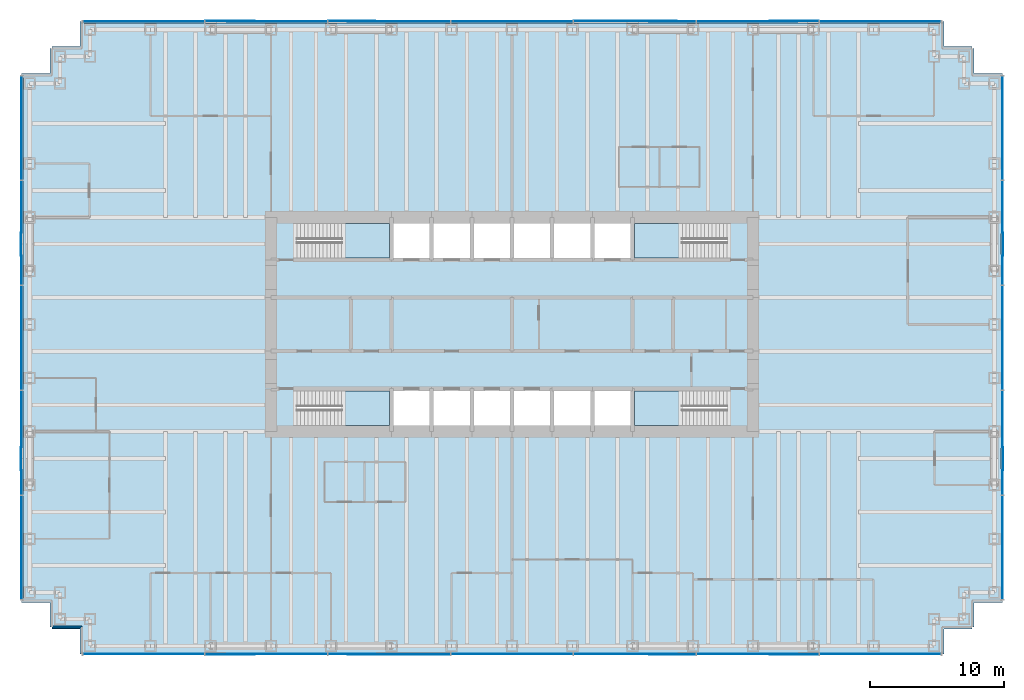
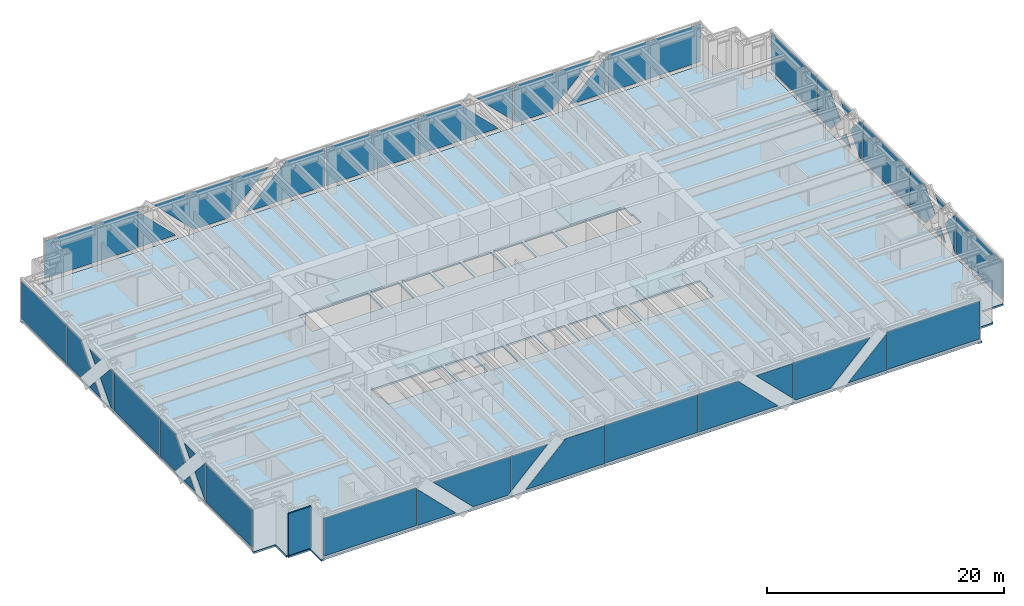
# One storey, part 8 of 13: 44 plates, 5 slabs, 1 wall, 8 elements without a shape of their own.
"""IFC4 building model written with IfcOpenShell, lengths in metres."""

from ifc_helpers import new_model, si_unit, direction, frame, frame_2d, origin, origin_2d, place, context, subcontext, project, spatial, polyline, rectangle, outline, extrude, material, layer, layer_set, type_object, element, aggregate, save


model = new_model("IFC4")

# Units and contexts
model_context = context("Model", 3, precision=1e-05, world=origin(), true_north=direction((0.0, 1.0)))
body_context = subcontext(model_context, "Body", "Model", "MODEL_VIEW")
ifc_project = project(units=[si_unit("LENGTHUNIT", "METRE"), si_unit("AREAUNIT", "SQUARE_METRE"), si_unit("VOLUMEUNIT", "CUBIC_METRE"), si_unit("PLANEANGLEUNIT", "RADIAN"), si_unit("MASSUNIT", "GRAM", prefix="KILO")], contexts=[model_context])

# Site, building, storey
site_placement = place(None, origin())
site = spatial("IfcSite", under=ifc_project, at=site_placement, CompositionType="ELEMENT")
building_placement = place(site_placement, origin())
building = spatial("IfcBuilding", under=site, at=building_placement, Name="Rheinbord Bourse Tower", CompositionType="ELEMENT")
storey_placement = place(building_placement, frame((0.0, 0.0, 50.0)))
storey = spatial("IfcBuildingStorey", under=building, at=storey_placement, Name="L10", CompositionType="ELEMENT", Elevation=50.0)

# Slab
ifc_material_1 = material(Name="Concrete C30/37", Category="concrete")
ifc_layer_1 = layer(ifc_material_1, 0.179931640625)
ifc_layer_set_1 = layer_set([ifc_layer_1], Name="COMPOSITE FLOOR SLAB 180")
slab_type_1 = type_object("IfcSlabType", Name="COMPOSITE FLOOR SLAB 180", PredefinedType="FLOOR", material=ifc_layer_set_1)
slab_1_placement = place(storey_placement, frame((0.0, 0.0, -0.179931640625)))
element("IfcSlab", 1, at=slab_1_placement, inside=storey, type_object=slab_type_1, Name="Floor slab L10", PredefinedType="FLOOR", context=body_context, shape_type="SweptSolid", body=[
    extrude(outline(polyline([(1.64990234375, 1.39990234375), (1.5, 1.39990234375), (1.5, 3.25), (-0.60009765625, 3.25), (-0.60009765625, 3.550048828125), (-0.5, 3.550048828125), (-0.5, 42.449951171875), (-0.60009765625, 42.449951171875), (-0.60009765625, 42.75), (1.5, 42.75), (1.5, 44.60009765625), (1.64990234375, 44.60009765625), (1.64990234375, 44.75), (3.75, 44.75), (3.75, 46.60009765625), (4.050048828125, 46.60009765625), (4.050048828125, 46.5), (67.949951171875, 46.5), (67.949951171875, 46.60009765625), (68.25, 46.60009765625), (68.25, 44.75), (70.35009765625, 44.75), (70.35009765625, 44.60009765625), (70.5, 44.60009765625), (70.5, 42.75), (72.60009765625, 42.75), (72.60009765625, 42.449951171875), (72.5, 42.449951171875), (72.5, 3.550048828125), (72.60009765625, 3.550048828125), (72.60009765625, 3.25), (70.5, 3.25), (70.5, 1.39990234375), (70.35009765625, 1.39990234375), (70.35009765625, 1.25), (68.25, 1.25), (68.25, -0.60009765625), (67.949951171875, -0.60009765625), (67.949951171875, -0.5), (4.050048828125, -0.5), (4.050048828125, -0.60009765625), (3.75, -0.60009765625), (3.75, 1.25), (1.64990234375, 1.25), (1.64990234375, 1.39990234375)]), holes=[polyline([(19.949951171875, 19.050048828125), (26.85009765625, 19.050048828125), (26.85009765625, 16.449951171875), (20.10009765625, 16.449951171875), (20.10009765625, 17.64990234375), (19.949951171875, 17.64990234375), (19.949951171875, 19.050048828125)]), polyline([(26.85009765625, 31.550048828125), (26.85009765625, 28.949951171875), (19.949951171875, 28.949951171875), (19.949951171875, 30.35009765625), (20.10009765625, 30.35009765625), (20.10009765625, 31.550048828125), (26.85009765625, 31.550048828125)]), polyline([(45.14990234375, 16.449951171875), (45.14990234375, 19.050048828125), (52.050048828125, 19.050048828125), (52.050048828125, 17.64990234375), (51.89990234375, 17.64990234375), (51.89990234375, 16.449951171875), (45.14990234375, 16.449951171875)]), polyline([(52.050048828125, 28.949951171875), (45.14990234375, 28.949951171875), (45.14990234375, 31.550048828125), (51.89990234375, 31.550048828125), (51.89990234375, 30.35009765625), (52.050048828125, 30.35009765625), (52.050048828125, 28.949951171875)]), polyline([(27.14990234375, 16.449951171875), (27.14990234375, 19.050048828125), (29.85009765625, 19.050048828125), (29.85009765625, 16.449951171875), (27.14990234375, 16.449951171875)]), polyline([(27.14990234375, 28.949951171875), (27.14990234375, 31.550048828125), (29.85009765625, 31.550048828125), (29.85009765625, 28.949951171875), (27.14990234375, 28.949951171875)]), polyline([(30.14990234375, 16.449951171875), (30.14990234375, 19.050048828125), (32.85009765625, 19.050048828125), (32.85009765625, 16.449951171875), (30.14990234375, 16.449951171875)]), polyline([(30.14990234375, 28.949951171875), (30.14990234375, 31.550048828125), (32.85009765625, 31.550048828125), (32.85009765625, 28.949951171875), (30.14990234375, 28.949951171875)]), polyline([(33.14990234375, 16.449951171875), (33.14990234375, 19.050048828125), (35.85009765625, 19.050048828125), (35.85009765625, 16.449951171875), (33.14990234375, 16.449951171875)]), polyline([(33.14990234375, 28.949951171875), (33.14990234375, 31.550048828125), (35.85009765625, 31.550048828125), (35.85009765625, 28.949951171875), (33.14990234375, 28.949951171875)]), polyline([(36.14990234375, 16.449951171875), (36.14990234375, 19.050048828125), (38.85009765625, 19.050048828125), (38.85009765625, 16.449951171875), (36.14990234375, 16.449951171875)]), polyline([(36.14990234375, 28.949951171875), (36.14990234375, 31.550048828125), (38.85009765625, 31.550048828125), (38.85009765625, 28.949951171875), (36.14990234375, 28.949951171875)]), polyline([(39.14990234375, 16.449951171875), (39.14990234375, 19.050048828125), (41.85009765625, 19.050048828125), (41.85009765625, 16.449951171875), (39.14990234375, 16.449951171875)]), polyline([(39.14990234375, 28.949951171875), (39.14990234375, 31.550048828125), (41.85009765625, 31.550048828125), (41.85009765625, 28.949951171875), (39.14990234375, 28.949951171875)]), polyline([(42.14990234375, 16.449951171875), (42.14990234375, 19.050048828125), (44.85009765625, 19.050048828125), (44.85009765625, 16.449951171875), (42.14990234375, 16.449951171875)]), polyline([(42.14990234375, 28.949951171875), (42.14990234375, 31.550048828125), (44.85009765625, 31.550048828125), (44.85009765625, 28.949951171875), (42.14990234375, 28.949951171875)])]), origin(), (0.0, 0.0, 1.0), 0.179931640625),
])

# Curtain wall, plates
ifc_material_2 = material(Name="Dark glass and black aluminium", Category="aluminium")
curtain_wall_type = type_object("IfcCurtainWallType", Name="CW1 DARK GLASS CURTAIN WALL", PredefinedType="USERDEFINED", material=ifc_material_2)
curtain_wall_1_placement = place(storey_placement, origin())
curtain_wall_1 = element("IfcCurtainWall", 2, at=curtain_wall_1_placement, inside=storey, type_object=curtain_wall_type, Name="Curtain wall CW1 S L10", ObjectType="UNITISED CURTAIN WALL", PredefinedType="USERDEFINED")
ifc_material_3 = material(Name="Dark tinted triple insulating glass", Category="glass")
ifc_layer_2 = layer(ifc_material_3, 0.0439453125)
ifc_layer_set_2 = layer_set([ifc_layer_2], Name="CW1 DARK GLASS PANEL")
plate_type = type_object("IfcPlateType", Name="CW1 DARK GLASS PANEL", PredefinedType="CURTAIN_PANEL", material=ifc_layer_set_2)
plate_1_placement = place(storey_placement, frame((36.0, -0.60009765625, 0.300048828125), z_axis=(0.0, 0.0, 1.0), x_axis=(1.0, 0.0, 0.0)))
plate_1 = element("IfcPlate", 3, at=plate_1_placement, type_object=plate_type, Name="CW1 panel 4.1", PredefinedType="CURTAIN_PANEL", context=body_context, shape_type="SweptSolid", body=[
    extrude(rectangle(XDim=9.09130859375, YDim=0.0439453125, at=origin_2d()), origin(), (0.0, 0.0, 1.0), 3.89990234375),
])
plate_2_placement = place(storey_placement, frame((13.031005859375, -0.6220703125, 0.300048828125), z_axis=(0.0, 1.0, 0.0), x_axis=(-1.0, 0.0, 0.0)))
plate_2 = element("IfcPlate", 4, at=plate_2_placement, type_object=plate_type, Name="CW1 glass facet 1", PredefinedType="CURTAIN_PANEL", context=body_context, shape_type="SweptSolid", body=[
    extrude(outline(polyline([(0.0, 0.0), (9.051025390625, 0.0), (9.051025390625, 3.89990234375), (0.0869140625, 3.89990234375), (0.0, 3.81298828125), (0.0, 0.0)])), origin(), (0.0, 0.0, 1.0), 0.0439453125),
])
plate_3_placement = place(storey_placement, frame((13.111083984375, -0.6708984375, 0.300048828125), z_axis=(0.0, 1.0, 0.0), x_axis=(0.0, 0.0, 1.0)))
plate_3 = element("IfcPlate", 5, at=plate_3_placement, type_object=plate_type, Name="CW1 glass facet 1", PredefinedType="CURTAIN_PANEL", context=body_context, shape_type="SweptSolid", body=[
    extrude(outline(polyline([(0.0, 0.0), (3.73291015625, 0.0), (0.0, 3.73291015625), (0.0, 0.0)])), origin(), (0.0, 0.0, 1.0), 0.0439453125),
])
plate_4_placement = place(storey_placement, frame((18.555908203125, -0.6220703125, 0.300048828125), z_axis=(0.0, 1.0, 0.0), x_axis=(-0.707106781187, 0.0, 0.707106781187)))
plate_4 = element("IfcPlate", 6, at=plate_4_placement, type_object=plate_type, Name="CW1 glass facet 2", PredefinedType="CURTAIN_PANEL", context=body_context, shape_type="SweptSolid", body=[
    extrude(outline(polyline([(0.0, 0.0), (5.515380859375, 0.0), (0.178955078125, 5.33642578125), (-2.396240234375, 2.76123046875), (-2.395751953125, 2.395751953125), (0.0, 0.0)])), origin(), (0.0, 0.0, 1.0), 0.0439453125),
])
plate_5_placement = place(storey_placement, frame((22.282958984375, -0.6220703125, 4.199951171875), z_axis=(0.0, 1.0, 0.0), x_axis=(1.0, 0.0, 0.0)))
plate_5 = element("IfcPlate", 7, at=plate_5_placement, type_object=plate_type, Name="CW1 glass facet 1", PredefinedType="CURTAIN_PANEL", context=body_context, shape_type="SweptSolid", body=[
    extrude(outline(polyline([(0.0, 0.0), (3.56103515625, 0.0), (0.0, 3.56201171875), (0.0, 0.0)])), origin(), (0.0, 0.0, 1.0), 0.0439453125),
])
plate_6_placement = place(storey_placement, frame((31.3740234375, -0.6708984375, 4.199951171875), z_axis=(0.0, 1.0, 0.0), x_axis=(0.0, 0.0, -1.0)))
plate_6 = element("IfcPlate", 8, at=plate_6_placement, type_object=plate_type, Name="CW1 glass facet 2", PredefinedType="CURTAIN_PANEL", context=body_context, shape_type="SweptSolid", body=[
    extrude(outline(polyline([(0.0, 0.0), (3.89990234375, 0.0), (3.89990234375, 7.718017578125), (0.0, 3.818115234375), (0.0, 0.0)])), origin(), (0.0, 0.0, 1.0), 0.0439453125),
])
plate_7_placement = place(storey_placement, frame((40.6259765625, -0.6220703125, 0.300048828125), z_axis=(0.0, 1.0, 0.0), x_axis=(0.0, 0.0, 1.0)))
plate_7 = element("IfcPlate", 9, at=plate_7_placement, type_object=plate_type, Name="CW1 glass facet 1", PredefinedType="CURTAIN_PANEL", context=body_context, shape_type="SweptSolid", body=[
    extrude(outline(polyline([(0.0, 0.0), (3.89990234375, 0.0), (3.89990234375, 3.818115234375), (0.0, 7.718017578125), (0.0, 0.0)])), origin(), (0.0, 0.0, 1.0), 0.0439453125),
])
plate_8_placement = place(storey_placement, frame((49.717041015625, -0.6708984375, 4.199951171875), z_axis=(0.0, 1.0, 0.0), x_axis=(0.0, 0.0, -1.0)))
plate_8 = element("IfcPlate", 10, at=plate_8_placement, type_object=plate_type, Name="CW1 glass facet 2", PredefinedType="CURTAIN_PANEL", context=body_context, shape_type="SweptSolid", body=[
    extrude(outline(polyline([(0.0, 0.0), (3.56201171875, 0.0), (0.0, 3.56103515625), (0.0, 0.0)])), origin(), (0.0, 0.0, 1.0), 0.0439453125),
])
plate_9_placement = place(storey_placement, frame((50.055908203125, -0.6220703125, 0.300048828125), z_axis=(0.0, 1.0, 0.0), x_axis=(-0.708108110971, 0.0, 0.706104031412)))
plate_9 = element("IfcPlate", 11, at=plate_9_placement, type_object=plate_type, Name="CW1 glass facet 1", PredefinedType="CURTAIN_PANEL", context=body_context, shape_type="SweptSolid", body=[
    extrude(outline(polyline([(0.0, 0.0), (0.365478515625, 0.0), (2.93701171875, 2.578857421875), (-2.406982421875, 7.90771484375), (-2.399169921875, 2.392333984375), (0.0, 0.0)])), origin(), (0.0, 0.0, 1.0), 0.0439453125),
])
plate_10_placement = place(storey_placement, frame((58.888916015625, -0.6708984375, 0.300048828125), z_axis=(0.0, 1.0, 0.0), x_axis=(-1.0, 0.0, 0.0)))
plate_10 = element("IfcPlate", 12, at=plate_10_placement, type_object=plate_type, Name="CW1 glass facet 2", PredefinedType="CURTAIN_PANEL", context=body_context, shape_type="SweptSolid", body=[
    extrude(outline(polyline([(0.0, 0.0), (3.73291015625, 0.0), (0.0, 3.73291015625), (0.0, 0.0)])), origin(), (0.0, 0.0, 1.0), 0.0439453125),
])
plate_11_placement = place(storey_placement, frame((68.02001953125, -0.6220703125, 4.199951171875), z_axis=(0.0, 1.0, 0.0), x_axis=(0.0, 0.0, -1.0)))
plate_11 = element("IfcPlate", 13, at=plate_11_placement, type_object=plate_type, Name="CW1 glass facet 1", PredefinedType="CURTAIN_PANEL", context=body_context, shape_type="SweptSolid", body=[
    extrude(outline(polyline([(0.0, 0.0), (3.89990234375, 0.0), (3.89990234375, 9.051025390625), (0.0869140625, 9.051025390625), (0.0, 8.964111328125), (0.0, 0.0)])), origin(), (0.0, 0.0, 1.0), 0.0439453125),
])
aggregate(curtain_wall_1, [plate_1, plate_2, plate_3, plate_4, plate_5, plate_6, plate_7, plate_8, plate_9, plate_10, plate_11])

curtain_wall_2_placement = place(storey_placement, origin())
curtain_wall_2 = element("IfcCurtainWall", 14, at=curtain_wall_2_placement, inside=storey, type_object=curtain_wall_type, Name="Curtain wall CW1 E L10", ObjectType="UNITISED CURTAIN WALL", PredefinedType="USERDEFINED")
plate_12_placement = place(storey_placement, frame((72.60009765625, 7.340087890625, 0.300048828125), z_axis=(0.0, 0.0, 1.0), x_axis=(0.0, 1.0, 0.0)))
plate_12 = element("IfcPlate", 15, at=plate_12_placement, type_object=plate_type, Name="CW1 panel 1.1", PredefinedType="CURTAIN_PANEL", context=body_context, shape_type="SweptSolid", body=[
    extrude(rectangle(XDim=7.719970703125, YDim=0.0439453125, at=origin_2d()), origin(), (0.0, 0.0, 1.0), 3.89990234375),
])
plate_13_placement = place(storey_placement, frame((72.60009765625, 23.0, 0.300048828125), z_axis=(0.0, 0.0, 1.0), x_axis=(0.0, 1.0, 0.0)))
plate_13 = element("IfcPlate", 16, at=plate_13_placement, type_object=plate_type, Name="CW1 panel 3.1", PredefinedType="CURTAIN_PANEL", context=body_context, shape_type="SweptSolid", body=[
    extrude(rectangle(XDim=7.760009765625, YDim=0.0439453125, at=origin_2d()), origin(), (0.0, 0.0, 1.0), 3.89990234375),
])
plate_14_placement = place(storey_placement, frame((72.60009765625, 38.659912109375, 0.300048828125), z_axis=(0.0, 0.0, 1.0), x_axis=(0.0, 1.0, 0.0)))
plate_14 = element("IfcPlate", 17, at=plate_14_placement, type_object=plate_type, Name="CW1 panel 5.1", PredefinedType="CURTAIN_PANEL", context=body_context, shape_type="SweptSolid", body=[
    extrude(rectangle(XDim=7.719970703125, YDim=0.0439453125, at=origin_2d()), origin(), (0.0, 0.0, 1.0), 3.89990234375),
])
plate_15_placement = place(storey_placement, frame((72.6220703125, 11.280029296875, 0.300048828125), z_axis=(-1.0, 0.0, 0.0), x_axis=(0.0, 0.0, 1.0)))
plate_15 = element("IfcPlate", 18, at=plate_15_placement, type_object=plate_type, Name="CW1 glass facet 1", PredefinedType="CURTAIN_PANEL", context=body_context, shape_type="SweptSolid", body=[
    extrude(outline(polyline([(0.0, 0.0), (3.89990234375, 0.0), (3.89990234375, 0.177001953125), (1.949951171875, 1.910888671875), (0.0, 0.177001953125), (0.0, 0.0)])), origin(), (0.0, 0.0, 1.0), 0.0439453125),
])
plate_16_placement = place(storey_placement, frame((72.6708984375, 13.075927734375, 0.300048828125), z_axis=(-1.0, 0.0, 0.0), x_axis=(0.0, 0.664549079677, 0.747244619051)))
plate_16 = element("IfcPlate", 19, at=plate_16_placement, type_object=plate_type, Name="CW1 glass facet 2", PredefinedType="CURTAIN_PANEL", context=body_context, shape_type="SweptSolid", body=[
    extrude(outline(polyline([(0.0, 0.0), (1.390625, 0.0), (1.228271484375, 1.381103515625), (0.0, 0.0)])), origin(), (0.0, 0.0, 1.0), 0.0439453125),
])
plate_17_placement = place(storey_placement, frame((72.6708984375, 14.924072265625, 4.199951171875), z_axis=(-1.0, 0.0, 0.0), x_axis=(0.0, -0.664549079677, -0.747244619051)))
plate_17 = element("IfcPlate", 20, at=plate_17_placement, type_object=plate_type, Name="CW1 glass facet 3", PredefinedType="CURTAIN_PANEL", context=body_context, shape_type="SweptSolid", body=[
    extrude(outline(polyline([(0.0, 0.0), (1.390625, 0.0), (1.228271484375, 1.381103515625), (0.0, 0.0)])), origin(), (0.0, 0.0, 1.0), 0.0439453125),
])
plate_18_placement = place(storey_placement, frame((72.6220703125, 19.0400390625, 4.199951171875), z_axis=(-1.0, 0.0, 0.0), x_axis=(0.0, 0.0, -1.0)))
plate_18 = element("IfcPlate", 21, at=plate_18_placement, type_object=plate_type, Name="CW1 glass facet 4", PredefinedType="CURTAIN_PANEL", context=body_context, shape_type="SweptSolid", body=[
    extrude(outline(polyline([(0.0, 0.0), (3.89990234375, 0.0), (3.89990234375, 2.4970703125), (1.949951171875, 4.23095703125), (0.0, 2.4970703125), (0.0, 0.0)])), origin(), (0.0, 0.0, 1.0), 0.0439453125),
])
plate_19_placement = place(storey_placement, frame((72.6220703125, 26.9599609375, 0.300048828125), z_axis=(-1.0, 0.0, 0.0), x_axis=(0.0, 0.0, 1.0)))
plate_19 = element("IfcPlate", 22, at=plate_19_placement, type_object=plate_type, Name="CW1 glass facet 1", PredefinedType="CURTAIN_PANEL", context=body_context, shape_type="SweptSolid", body=[
    extrude(outline(polyline([(0.0, 0.0), (3.89990234375, 0.0), (3.89990234375, 0.4970703125), (1.949951171875, 2.23095703125), (0.0, 0.4970703125), (0.0, 0.0)])), origin(), (0.0, 0.0, 1.0), 0.0439453125),
])
plate_20_placement = place(storey_placement, frame((72.6708984375, 29.075927734375, 0.300048828125), z_axis=(-1.0, 0.0, 0.0), x_axis=(0.0, 0.664549079677, 0.747244619051)))
plate_20 = element("IfcPlate", 23, at=plate_20_placement, type_object=plate_type, Name="CW1 glass facet 2", PredefinedType="CURTAIN_PANEL", context=body_context, shape_type="SweptSolid", body=[
    extrude(outline(polyline([(0.0, 0.0), (1.390625, 0.0), (1.228271484375, 1.381103515625), (0.0, 0.0)])), origin(), (0.0, 0.0, 1.0), 0.0439453125),
])
plate_21_placement = place(storey_placement, frame((72.6708984375, 30.924072265625, 4.199951171875), z_axis=(-1.0, 0.0, 0.0), x_axis=(0.0, -0.664549079677, -0.747244619051)))
plate_21 = element("IfcPlate", 24, at=plate_21_placement, type_object=plate_type, Name="CW1 glass facet 3", PredefinedType="CURTAIN_PANEL", context=body_context, shape_type="SweptSolid", body=[
    extrude(outline(polyline([(0.0, 0.0), (1.390625, 0.0), (1.228271484375, 1.381103515625), (0.0, 0.0)])), origin(), (0.0, 0.0, 1.0), 0.0439453125),
])
plate_22_placement = place(storey_placement, frame((72.6220703125, 34.719970703125, 4.199951171875), z_axis=(-1.0, 0.0, 0.0), x_axis=(0.0, 0.0, -1.0)))
plate_22 = element("IfcPlate", 25, at=plate_22_placement, type_object=plate_type, Name="CW1 glass facet 4", PredefinedType="CURTAIN_PANEL", context=body_context, shape_type="SweptSolid", body=[
    extrude(outline(polyline([(0.0, 0.0), (3.89990234375, 0.0), (3.89990234375, 2.177001953125), (1.949951171875, 3.910888671875), (0.0, 2.177001953125), (0.0, 0.0)])), origin(), (0.0, 0.0, 1.0), 0.0439453125),
])
aggregate(curtain_wall_2, [plate_12, plate_13, plate_14, plate_15, plate_16, plate_17, plate_18, plate_19, plate_20, plate_21, plate_22])

curtain_wall_3_placement = place(storey_placement, origin())
curtain_wall_3 = element("IfcCurtainWall", 26, at=curtain_wall_3_placement, inside=storey, type_object=curtain_wall_type, Name="Curtain wall CW1 N L10", ObjectType="UNITISED CURTAIN WALL", PredefinedType="USERDEFINED")
plate_23_placement = place(storey_placement, frame((36.0, 46.60009765625, 0.300048828125), z_axis=(0.0, 0.0, 1.0), x_axis=(-1.0, 0.0, 0.0)))
plate_23 = element("IfcPlate", 27, at=plate_23_placement, type_object=plate_type, Name="CW1 panel 4.1", PredefinedType="CURTAIN_PANEL", context=body_context, shape_type="SweptSolid", body=[
    extrude(rectangle(XDim=9.09130859375, YDim=0.0439453125, at=origin_2d()), origin(), (0.0, 0.0, 1.0), 3.89990234375),
])
plate_24_placement = place(storey_placement, frame((58.968994140625, 46.6220703125, 0.300048828125), z_axis=(0.0, -1.0, 0.0), x_axis=(1.0, 0.0, 0.0)))
plate_24 = element("IfcPlate", 28, at=plate_24_placement, type_object=plate_type, Name="CW1 glass facet 1", PredefinedType="CURTAIN_PANEL", context=body_context, shape_type="SweptSolid", body=[
    extrude(outline(polyline([(0.0, 0.0), (9.051025390625, 0.0), (9.051025390625, 3.89990234375), (0.0869140625, 3.89990234375), (0.0, 3.81298828125), (0.0, 0.0)])), origin(), (0.0, 0.0, 1.0), 0.0439453125),
])
plate_25_placement = place(storey_placement, frame((58.888916015625, 46.6708984375, 0.300048828125), z_axis=(0.0, -1.0, 0.0), x_axis=(0.0, 0.0, 1.0)))
plate_25 = element("IfcPlate", 29, at=plate_25_placement, type_object=plate_type, Name="CW1 glass facet 1", PredefinedType="CURTAIN_PANEL", context=body_context, shape_type="SweptSolid", body=[
    extrude(outline(polyline([(0.0, 0.0), (3.73291015625, 0.0), (0.0, 3.73291015625), (0.0, 0.0)])), origin(), (0.0, 0.0, 1.0), 0.0439453125),
])
plate_26_placement = place(storey_placement, frame((53.444091796875, 46.6220703125, 0.300048828125), z_axis=(0.0, -1.0, 0.0), x_axis=(0.707106781187, 0.0, 0.707106781187)))
plate_26 = element("IfcPlate", 30, at=plate_26_placement, type_object=plate_type, Name="CW1 glass facet 2", PredefinedType="CURTAIN_PANEL", context=body_context, shape_type="SweptSolid", body=[
    extrude(outline(polyline([(0.0, 0.0), (5.515380859375, 0.0), (0.178955078125, 5.33642578125), (-2.396240234375, 2.76123046875), (-2.395751953125, 2.395751953125), (0.0, 0.0)])), origin(), (0.0, 0.0, 1.0), 0.0439453125),
])
plate_27_placement = place(storey_placement, frame((49.717041015625, 46.6220703125, 4.199951171875), z_axis=(0.0, -1.0, 0.0), x_axis=(-1.0, 0.0, 0.0)))
plate_27 = element("IfcPlate", 31, at=plate_27_placement, type_object=plate_type, Name="CW1 glass facet 1", PredefinedType="CURTAIN_PANEL", context=body_context, shape_type="SweptSolid", body=[
    extrude(outline(polyline([(0.0, 0.0), (3.56103515625, 0.0), (0.0, 3.56201171875), (0.0, 0.0)])), origin(), (0.0, 0.0, 1.0), 0.0439453125),
])
plate_28_placement = place(storey_placement, frame((40.6259765625, 46.6708984375, 4.199951171875), z_axis=(0.0, -1.0, 0.0), x_axis=(0.0, 0.0, -1.0)))
plate_28 = element("IfcPlate", 32, at=plate_28_placement, type_object=plate_type, Name="CW1 glass facet 2", PredefinedType="CURTAIN_PANEL", context=body_context, shape_type="SweptSolid", body=[
    extrude(outline(polyline([(0.0, 0.0), (3.89990234375, 0.0), (3.89990234375, 7.718017578125), (0.0, 3.818115234375), (0.0, 0.0)])), origin(), (0.0, 0.0, 1.0), 0.0439453125),
])
plate_29_placement = place(storey_placement, frame((31.3740234375, 46.6220703125, 0.300048828125), z_axis=(0.0, -1.0, 0.0), x_axis=(0.0, 0.0, 1.0)))
plate_29 = element("IfcPlate", 33, at=plate_29_placement, type_object=plate_type, Name="CW1 glass facet 1", PredefinedType="CURTAIN_PANEL", context=body_context, shape_type="SweptSolid", body=[
    extrude(outline(polyline([(0.0, 0.0), (3.89990234375, 0.0), (3.89990234375, 3.818115234375), (0.0, 7.718017578125), (0.0, 0.0)])), origin(), (0.0, 0.0, 1.0), 0.0439453125),
])
plate_30_placement = place(storey_placement, frame((22.282958984375, 46.6708984375, 4.199951171875), z_axis=(0.0, -1.0, 0.0), x_axis=(0.0, 0.0, -1.0)))
plate_30 = element("IfcPlate", 34, at=plate_30_placement, type_object=plate_type, Name="CW1 glass facet 2", PredefinedType="CURTAIN_PANEL", context=body_context, shape_type="SweptSolid", body=[
    extrude(outline(polyline([(0.0, 0.0), (3.56201171875, 0.0), (0.0, 3.56103515625), (0.0, 0.0)])), origin(), (0.0, 0.0, 1.0), 0.0439453125),
])
plate_31_placement = place(storey_placement, frame((21.944091796875, 46.6220703125, 0.300048828125), z_axis=(0.0, -1.0, 0.0), x_axis=(0.708108110971, 0.0, 0.706104031412)))
plate_31 = element("IfcPlate", 35, at=plate_31_placement, type_object=plate_type, Name="CW1 glass facet 1", PredefinedType="CURTAIN_PANEL", context=body_context, shape_type="SweptSolid", body=[
    extrude(outline(polyline([(0.0, 0.0), (0.365478515625, 0.0), (2.93701171875, 2.578857421875), (-2.406982421875, 7.90771484375), (-2.399169921875, 2.392333984375), (0.0, 0.0)])), origin(), (0.0, 0.0, 1.0), 0.0439453125),
])
plate_32_placement = place(storey_placement, frame((13.111083984375, 46.6708984375, 0.300048828125), z_axis=(0.0, -1.0, 0.0), x_axis=(1.0, 0.0, 0.0)))
plate_32 = element("IfcPlate", 36, at=plate_32_placement, type_object=plate_type, Name="CW1 glass facet 2", PredefinedType="CURTAIN_PANEL", context=body_context, shape_type="SweptSolid", body=[
    extrude(outline(polyline([(0.0, 0.0), (3.73291015625, 0.0), (0.0, 3.73291015625), (0.0, 0.0)])), origin(), (0.0, 0.0, 1.0), 0.0439453125),
])
plate_33_placement = place(storey_placement, frame((3.97998046875, 46.6220703125, 4.199951171875), z_axis=(0.0, -1.0, 0.0), x_axis=(0.0, 0.0, -1.0)))
plate_33 = element("IfcPlate", 37, at=plate_33_placement, type_object=plate_type, Name="CW1 glass facet 1", PredefinedType="CURTAIN_PANEL", context=body_context, shape_type="SweptSolid", body=[
    extrude(outline(polyline([(0.0, 0.0), (3.89990234375, 0.0), (3.89990234375, 9.051025390625), (0.0869140625, 9.051025390625), (0.0, 8.964111328125), (0.0, 0.0)])), origin(), (0.0, 0.0, 1.0), 0.0439453125),
])
aggregate(curtain_wall_3, [plate_23, plate_24, plate_25, plate_26, plate_27, plate_28, plate_29, plate_30, plate_31, plate_32, plate_33])

curtain_wall_4_placement = place(storey_placement, origin())
curtain_wall_4 = element("IfcCurtainWall", 38, at=curtain_wall_4_placement, inside=storey, type_object=curtain_wall_type, Name="Curtain wall CW1 W L10", ObjectType="UNITISED CURTAIN WALL", PredefinedType="USERDEFINED")
plate_34_placement = place(storey_placement, frame((-0.60009765625, 38.659912109375, 0.300048828125), z_axis=(0.0, 0.0, 1.0), x_axis=(0.0, -1.0, 0.0)))
plate_34 = element("IfcPlate", 39, at=plate_34_placement, type_object=plate_type, Name="CW1 panel 1.1", PredefinedType="CURTAIN_PANEL", context=body_context, shape_type="SweptSolid", body=[
    extrude(rectangle(XDim=7.719970703125, YDim=0.0439453125, at=origin_2d()), origin(), (0.0, 0.0, 1.0), 3.89990234375),
])
plate_35_placement = place(storey_placement, frame((-0.60009765625, 23.0, 0.300048828125), z_axis=(0.0, 0.0, 1.0), x_axis=(0.0, -1.0, 0.0)))
plate_35 = element("IfcPlate", 40, at=plate_35_placement, type_object=plate_type, Name="CW1 panel 3.1", PredefinedType="CURTAIN_PANEL", context=body_context, shape_type="SweptSolid", body=[
    extrude(rectangle(XDim=7.760009765625, YDim=0.0439453125, at=origin_2d()), origin(), (0.0, 0.0, 1.0), 3.89990234375),
])
plate_36_placement = place(storey_placement, frame((-0.60009765625, 7.340087890625, 0.300048828125), z_axis=(0.0, 0.0, 1.0), x_axis=(0.0, -1.0, 0.0)))
plate_36 = element("IfcPlate", 41, at=plate_36_placement, type_object=plate_type, Name="CW1 panel 5.1", PredefinedType="CURTAIN_PANEL", context=body_context, shape_type="SweptSolid", body=[
    extrude(rectangle(XDim=7.719970703125, YDim=0.0439453125, at=origin_2d()), origin(), (0.0, 0.0, 1.0), 3.89990234375),
])
plate_37_placement = place(storey_placement, frame((-0.6220703125, 34.719970703125, 0.300048828125), z_axis=(1.0, 0.0, 0.0), x_axis=(0.0, 0.0, 1.0)))
plate_37 = element("IfcPlate", 42, at=plate_37_placement, type_object=plate_type, Name="CW1 glass facet 1", PredefinedType="CURTAIN_PANEL", context=body_context, shape_type="SweptSolid", body=[
    extrude(outline(polyline([(0.0, 0.0), (3.89990234375, 0.0), (3.89990234375, 2.177001953125), (1.949951171875, 3.910888671875), (0.0, 2.177001953125), (0.0, 0.0)])), origin(), (0.0, 0.0, 1.0), 0.0439453125),
])
plate_38_placement = place(storey_placement, frame((-0.6708984375, 30.924072265625, 0.300048828125), z_axis=(1.0, 0.0, 0.0), x_axis=(0.0, -0.664549079677, 0.747244619051)))
plate_38 = element("IfcPlate", 43, at=plate_38_placement, type_object=plate_type, Name="CW1 glass facet 2", PredefinedType="CURTAIN_PANEL", context=body_context, shape_type="SweptSolid", body=[
    extrude(outline(polyline([(0.0, 0.0), (1.390625, 0.0), (1.228271484375, 1.381103515625), (0.0, 0.0)])), origin(), (0.0, 0.0, 1.0), 0.0439453125),
])
plate_39_placement = place(storey_placement, frame((-0.6708984375, 29.075927734375, 4.199951171875), z_axis=(1.0, 0.0, 0.0), x_axis=(0.0, 0.664549079677, -0.747244619051)))
plate_39 = element("IfcPlate", 44, at=plate_39_placement, type_object=plate_type, Name="CW1 glass facet 3", PredefinedType="CURTAIN_PANEL", context=body_context, shape_type="SweptSolid", body=[
    extrude(outline(polyline([(0.0, 0.0), (1.390625, 0.0), (1.228271484375, 1.381103515625), (0.0, 0.0)])), origin(), (0.0, 0.0, 1.0), 0.0439453125),
])
plate_40_placement = place(storey_placement, frame((-0.6220703125, 26.9599609375, 4.199951171875), z_axis=(1.0, 0.0, 0.0), x_axis=(0.0, 0.0, -1.0)))
plate_40 = element("IfcPlate", 45, at=plate_40_placement, type_object=plate_type, Name="CW1 glass facet 4", PredefinedType="CURTAIN_PANEL", context=body_context, shape_type="SweptSolid", body=[
    extrude(outline(polyline([(0.0, 0.0), (3.89990234375, 0.0), (3.89990234375, 0.4970703125), (1.949951171875, 2.23095703125), (0.0, 0.4970703125), (0.0, 0.0)])), origin(), (0.0, 0.0, 1.0), 0.0439453125),
])
plate_41_placement = place(storey_placement, frame((-0.6220703125, 19.0400390625, 0.300048828125), z_axis=(1.0, 0.0, 0.0), x_axis=(0.0, 0.0, 1.0)))
plate_41 = element("IfcPlate", 46, at=plate_41_placement, type_object=plate_type, Name="CW1 glass facet 1", PredefinedType="CURTAIN_PANEL", context=body_context, shape_type="SweptSolid", body=[
    extrude(outline(polyline([(0.0, 0.0), (3.89990234375, 0.0), (3.89990234375, 2.4970703125), (1.949951171875, 4.23095703125), (0.0, 2.4970703125), (0.0, 0.0)])), origin(), (0.0, 0.0, 1.0), 0.0439453125),
])
plate_42_placement = place(storey_placement, frame((-0.6708984375, 14.924072265625, 0.300048828125), z_axis=(1.0, 0.0, 0.0), x_axis=(0.0, -0.664549079677, 0.747244619051)))
plate_42 = element("IfcPlate", 47, at=plate_42_placement, type_object=plate_type, Name="CW1 glass facet 2", PredefinedType="CURTAIN_PANEL", context=body_context, shape_type="SweptSolid", body=[
    extrude(outline(polyline([(0.0, 0.0), (1.390625, 0.0), (1.228271484375, 1.381103515625), (0.0, 0.0)])), origin(), (0.0, 0.0, 1.0), 0.0439453125),
])
plate_43_placement = place(storey_placement, frame((-0.6708984375, 13.075927734375, 4.199951171875), z_axis=(1.0, 0.0, 0.0), x_axis=(0.0, 0.664549079677, -0.747244619051)))
plate_43 = element("IfcPlate", 48, at=plate_43_placement, type_object=plate_type, Name="CW1 glass facet 3", PredefinedType="CURTAIN_PANEL", context=body_context, shape_type="SweptSolid", body=[
    extrude(outline(polyline([(0.0, 0.0), (1.390625, 0.0), (1.228271484375, 1.381103515625), (0.0, 0.0)])), origin(), (0.0, 0.0, 1.0), 0.0439453125),
])
plate_44_placement = place(storey_placement, frame((-0.6220703125, 11.280029296875, 4.199951171875), z_axis=(1.0, 0.0, 0.0), x_axis=(0.0, 0.0, -1.0)))
plate_44 = element("IfcPlate", 49, at=plate_44_placement, type_object=plate_type, Name="CW1 glass facet 4", PredefinedType="CURTAIN_PANEL", context=body_context, shape_type="SweptSolid", body=[
    extrude(outline(polyline([(0.0, 0.0), (3.89990234375, 0.0), (3.89990234375, 0.177001953125), (1.949951171875, 1.910888671875), (0.0, 0.177001953125), (0.0, 0.0)])), origin(), (0.0, 0.0, 1.0), 0.0439453125),
])
aggregate(curtain_wall_4, [plate_34, plate_35, plate_36, plate_37, plate_38, plate_39, plate_40, plate_41, plate_42, plate_43, plate_44])

# Stair, slab
ifc_material_4 = material(Name="Concrete C30/37", Category="concrete")
stair_type = type_object("IfcStairType", Name="CORE STAIR HALF TURN 4500", PredefinedType="HALF_TURN_STAIR", material=ifc_material_4)
stair_1_placement = place(storey_placement, origin())
stair_1 = element("IfcStair", 50, at=stair_1_placement, inside=storey, type_object=stair_type, Name="Stair ST1 L10, type CS4", PredefinedType="HALF_TURN_STAIR")
ifc_material_5 = material(Name="Concrete C30/37", Category="concrete")
ifc_layer_3 = layer(ifc_material_5, 0.199951171875)
ifc_layer_set_3 = layer_set([ifc_layer_3], Name="STAIR LANDING 200")
slab_type_2 = type_object("IfcSlabType", Name="STAIR LANDING 200", PredefinedType="LANDING", material=ifc_layer_set_3)
slab_2_placement = place(storey_placement, frame((0.0, 0.0, 2.050048828125)))
slab_2 = element("IfcSlab", 51, at=slab_2_placement, type_object=slab_type_2, Name="Half landing ST1 L10", PredefinedType="LANDING", context=body_context, shape_type="SweptSolid", body=[
    extrude(outline(polyline([(23.31005859375, 16.449951171875), (26.85009765625, 16.449951171875), (26.85009765625, 19.050048828125), (21.916015625, 19.050048828125), (21.916015625, 17.85009765625), (23.31005859375, 17.85009765625), (23.31005859375, 16.449951171875)])), origin(), (0.0, 0.0, 1.0), 0.199951171875),
])
aggregate(stair_1, [slab_2])

stair_2_placement = place(storey_placement, origin())
stair_2 = element("IfcStair", 52, at=stair_2_placement, inside=storey, type_object=stair_type, Name="Stair ST2 L10, type CS4", PredefinedType="HALF_TURN_STAIR")
slab_3_placement = place(storey_placement, frame((0.0, 0.0, 2.050048828125)))
slab_3 = element("IfcSlab", 53, at=slab_3_placement, type_object=slab_type_2, Name="Half landing ST2 L10", PredefinedType="LANDING", context=body_context, shape_type="SweptSolid", body=[
    extrude(outline(polyline([(21.916015625, 28.949951171875), (26.85009765625, 28.949951171875), (26.85009765625, 31.550048828125), (23.31005859375, 31.550048828125), (23.31005859375, 30.14990234375), (21.916015625, 30.14990234375), (21.916015625, 28.949951171875)])), origin(), (0.0, 0.0, 1.0), 0.199951171875),
])
aggregate(stair_2, [slab_3])

stair_3_placement = place(storey_placement, origin())
stair_3 = element("IfcStair", 54, at=stair_3_placement, inside=storey, type_object=stair_type, Name="Stair ST3 L10, type CS4", PredefinedType="HALF_TURN_STAIR")
slab_4_placement = place(storey_placement, frame((0.0, 0.0, 2.050048828125)))
slab_4 = element("IfcSlab", 55, at=slab_4_placement, type_object=slab_type_2, Name="Half landing ST3 L10", PredefinedType="LANDING", context=body_context, shape_type="SweptSolid", body=[
    extrude(outline(polyline([(45.14990234375, 16.449951171875), (48.68994140625, 16.449951171875), (48.68994140625, 17.85009765625), (50.083984375, 17.85009765625), (50.083984375, 19.050048828125), (45.14990234375, 19.050048828125), (45.14990234375, 16.449951171875)])), origin(), (0.0, 0.0, 1.0), 0.199951171875),
])
aggregate(stair_3, [slab_4])

stair_4_placement = place(storey_placement, origin())
stair_4 = element("IfcStair", 56, at=stair_4_placement, inside=storey, type_object=stair_type, Name="Stair ST4 L10, type CS4", PredefinedType="HALF_TURN_STAIR")
slab_5_placement = place(storey_placement, frame((0.0, 0.0, 2.050048828125)))
slab_5 = element("IfcSlab", 57, at=slab_5_placement, type_object=slab_type_2, Name="Half landing ST4 L10", PredefinedType="LANDING", context=body_context, shape_type="SweptSolid", body=[
    extrude(outline(polyline([(45.14990234375, 28.949951171875), (50.083984375, 28.949951171875), (50.083984375, 30.14990234375), (48.68994140625, 30.14990234375), (48.68994140625, 31.550048828125), (45.14990234375, 31.550048828125), (45.14990234375, 28.949951171875)])), origin(), (0.0, 0.0, 1.0), 0.199951171875),
])
aggregate(stair_4, [slab_5])

# Wall
ifc_material_6 = material(Name="Black metal rainscreen panel", Category="aluminium")
ifc_layer_4 = layer(ifc_material_6, 0.14990234375)
ifc_layer_set_4 = layer_set([ifc_layer_4], Name="CORNER PIER CLADDING 150")
wall_type = type_object("IfcWallType", Name="CORNER PIER CLADDING 150", PredefinedType="ELEMENTEDWALL", material=ifc_layer_set_4)
wall_placement = place(storey_placement, frame((1.64990234375, 1.39990234375, 0.0), z_axis=(0.0, 0.0, 1.0), x_axis=(1.0, 0.0, 0.0)))
element("IfcWall", 58, at=wall_placement, inside=storey, type_object=wall_type, Name="Corner pier cladding L10 19", PredefinedType="ELEMENTEDWALL", context=body_context, shape_type="SweptSolid", body=[
    extrude(rectangle(XDim=2.25, YDim=0.14990234375, at=frame_2d((1.125, 0.0))), origin(), (0.0, 0.0, 1.0), 4.320068359375),
])

save(model, "model.ifc")
